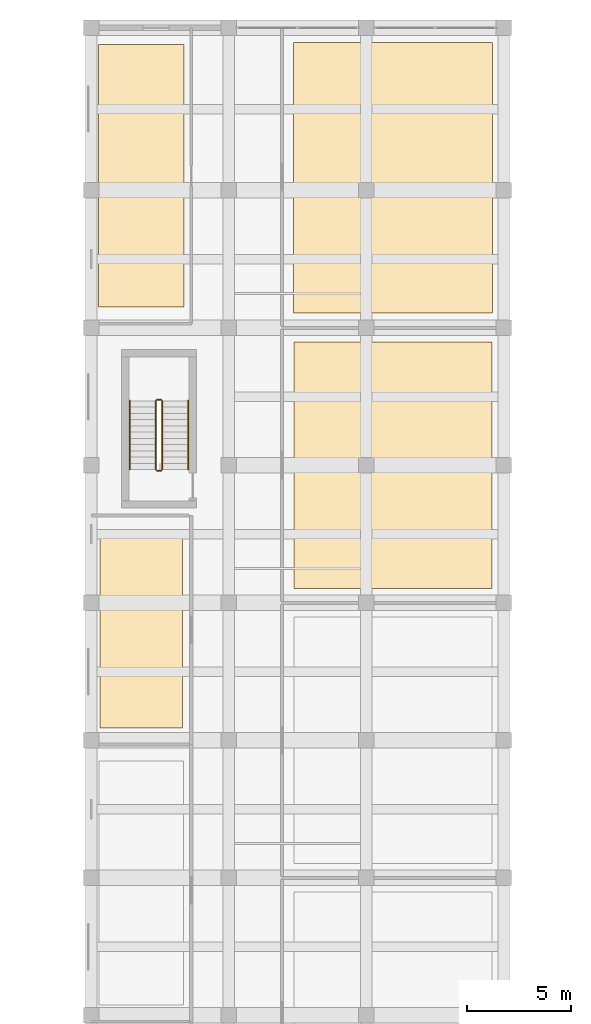
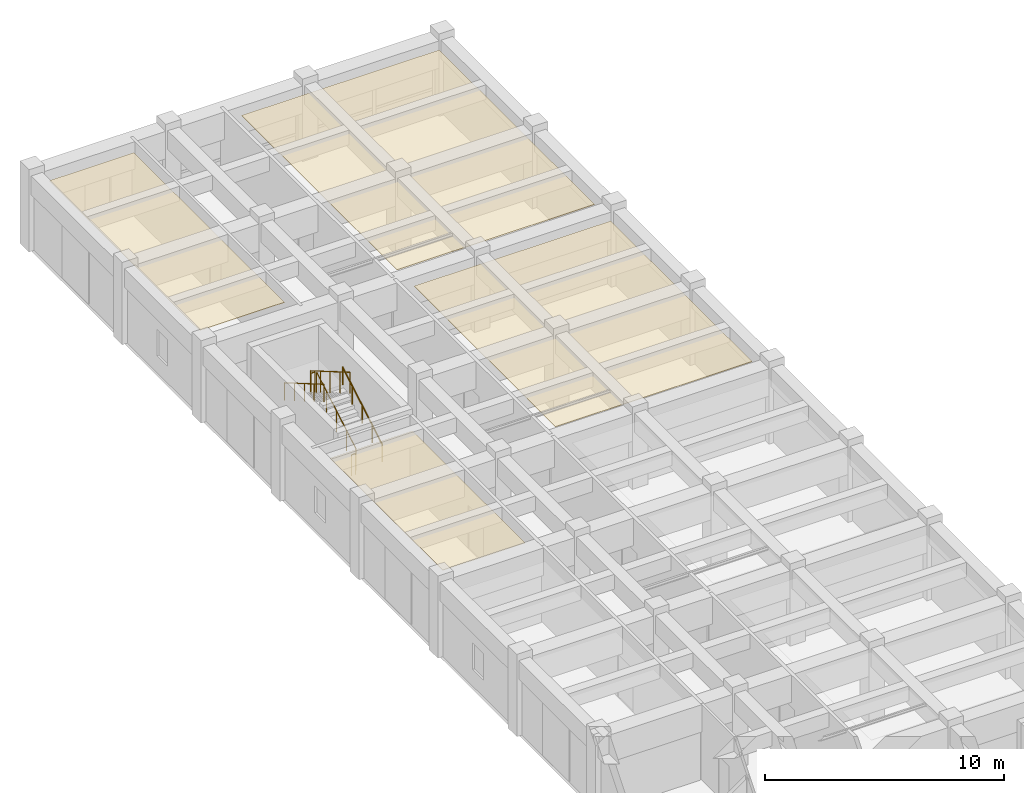
# One storey, part 148 of 148: 6 railings, 4 coverings.
"""IFC4 building model written with IfcOpenShell, lengths in metres."""

from ifc_helpers import new_model, si_unit, direction, frame, origin, origin_2d, place, context, subcontext, project, spatial, polyline, circle, outline, extrude, material, layer, layer_set, type_object, element, save


model = new_model("IFC4")

# Units and contexts
model_context = context("Model", 3, precision=1e-05, world=origin(), true_north=direction((0.0, 1.0)))
body_context = subcontext(model_context, "Body", "Model", "MODEL_VIEW")
ifc_project = project(units=[si_unit("LENGTHUNIT", "METRE"), si_unit("AREAUNIT", "SQUARE_METRE"), si_unit("VOLUMEUNIT", "CUBIC_METRE"), si_unit("PLANEANGLEUNIT", "RADIAN"), si_unit("MASSUNIT", "GRAM", prefix="KILO")], contexts=[model_context])

# Site, building, storey
site_placement = place(None, origin())
site = spatial("IfcSite", under=ifc_project, at=site_placement, CompositionType="ELEMENT")
building_placement = place(site_placement, origin())
building = spatial("IfcBuilding", under=site, at=building_placement, Name="Karori Crest Natural Sciences Institute", CompositionType="ELEMENT")
storey_placement = place(building_placement, frame((0.0, 0.0, 4.89990234375)))
storey = spatial("IfcBuildingStorey", under=building, at=storey_placement, Name="L01", CompositionType="ELEMENT", Elevation=4.89990234375)

# Coverings
ifc_material_1 = material(Name="Acoustic mineral fibre ceiling tile")
ifc_layer = layer(ifc_material_1, 0.02490234375, Name="Acoustic mineral fibre ceiling tile")
ifc_layer_set = layer_set([ifc_layer], Name="Acoustic mineral fibre ceiling tile")
covering_type = type_object("IfcCoveringType", Name="CVT-CEIL", PredefinedType="CEILING", material=ifc_layer_set)
covering_1_placement = place(storey_placement, frame((0.0, 0.0, 3.625)))
element("IfcCovering", 1, at=covering_1_placement, inside=storey, type_object=covering_type, Name="Acoustic ceiling CLG-0024", PredefinedType="CEILING", context=body_context, shape_type="SweptSolid", body=[
    extrude(outline(polyline([(7.81201171875, 138.014892578125), (7.81201171875, 128.5849609375), (11.7880859375, 128.5849609375), (11.7880859375, 138.014892578125), (7.81201171875, 138.014892578125)])), origin(), (0.0, 0.0, 1.0), 0.025146484375),
])
covering_2_placement = place(storey_placement, frame((0.0, 0.0, 3.625)))
element("IfcCovering", 2, at=covering_2_placement, inside=storey, type_object=covering_type, Name="Acoustic ceiling CLG-0025", PredefinedType="CEILING", context=body_context, shape_type="SweptSolid", body=[
    extrude(outline(polyline([(7.756103515625, 161.394287109375), (7.756103515625, 148.805908203125), (11.84375, 148.805908203125), (11.84375, 161.394287109375), (7.756103515625, 161.394287109375)])), origin(), (0.0, 0.0, 1.0), 0.025146484375),
])
covering_3_placement = place(storey_placement, frame((0.0, 0.0, 3.625)))
element("IfcCovering", 3, at=covering_3_placement, inside=storey, type_object=covering_type, Name="Acoustic ceiling CLG-0028", PredefinedType="CEILING", context=body_context, shape_type="SweptSolid", body=[
    extrude(outline(polyline([(17.128173828125, 147.114013671875), (17.128173828125, 135.285888671875), (26.621826171875, 135.285888671875), (26.621826171875, 147.114013671875), (17.128173828125, 147.114013671875)])), origin(), (0.0, 0.0, 1.0), 0.025146484375),
])
covering_4_placement = place(storey_placement, frame((0.0, 0.0, 3.625)))
element("IfcCovering", 4, at=covering_4_placement, inside=storey, type_object=covering_type, Name="Acoustic ceiling CLG-0029", PredefinedType="CEILING", context=body_context, shape_type="SweptSolid", body=[
    extrude(outline(polyline([(17.1044921875, 161.495849609375), (17.1044921875, 148.504150390625), (26.6455078125, 148.504150390625), (26.6455078125, 161.495849609375), (17.1044921875, 161.495849609375)])), origin(), (0.0, 0.0, 1.0), 0.025146484375),
])

# Railings
ifc_material_2 = material(Name="Stainless steel 316 tubular handrail", Category="steel")
railing_type_1 = type_object("IfcRailingType", Name="RLT-HND", PredefinedType="HANDRAIL", material=ifc_material_2)
railing_1_placement = place(storey_placement, frame((12.050048828125, 141.0, 0.175048828125)))
element("IfcRailing", 5, at=railing_1_placement, inside=storey, type_object=railing_type_1, Name="Stair handrail RL-0286", PredefinedType="HANDRAIL", context=body_context, shape_type="SweptSolid", body=[
    extrude(circle(Radius=0.02392578125, at=origin_2d()), frame((0.0, 0.0, 0.90087890625), z_axis=(0.0, 0.863776583165, 0.503874998761), x_axis=(-1.0, 0.0, 0.0)), (0.0, 0.0, 1.0), 3.820556640625),
    extrude(circle(Radius=0.02099609375, at=origin_2d()), origin(), (0.0, 0.0, 1.0), 0.876953125),
    extrude(circle(Radius=0.02099609375, at=origin_2d()), frame((0.0, 0.824951171875, 0.481201171875)), (0.0, 0.0, 1.0), 0.876953125),
    extrude(circle(Radius=0.02099609375, at=origin_2d()), frame((0.0, 1.64990234375, 0.96240234375)), (0.0, 0.0, 1.0), 0.876953125),
    extrude(circle(Radius=0.02099609375, at=origin_2d()), frame((0.0, 2.47509765625, 1.44384765625)), (0.0, 0.0, 1.0), 0.876953125),
    extrude(circle(Radius=0.02099609375, at=origin_2d()), frame((0.0, 3.300048828125, 1.925048828125)), (0.0, 0.0, 1.0), 0.876953125),
])
railing_2_placement = place(storey_placement, frame((9.25, 144.300048828125, 2.275146484375)))
element("IfcRailing", 6, at=railing_2_placement, inside=storey, type_object=railing_type_1, Name="Stair handrail RL-0287", PredefinedType="HANDRAIL", context=body_context, shape_type="SweptSolid", body=[
    extrude(circle(Radius=0.02392578125, at=origin_2d()), frame((0.0, 0.0, 0.90087890625), z_axis=(0.0, -0.863776583165, 0.503874998761), x_axis=(1.0, 0.0, 0.0)), (0.0, 0.0, 1.0), 3.820556640625),
    extrude(circle(Radius=0.02099609375, at=origin_2d()), origin(), (0.0, 0.0, 1.0), 0.876953125),
    extrude(circle(Radius=0.02099609375, at=origin_2d()), frame((0.0, -0.824951171875, 0.481201171875)), (0.0, 0.0, 1.0), 0.876953125),
    extrude(circle(Radius=0.02099609375, at=origin_2d()), frame((0.0, -1.64990234375, 0.96240234375)), (0.0, 0.0, 1.0), 0.876953125),
    extrude(circle(Radius=0.02099609375, at=origin_2d()), frame((0.0, -2.47509765625, 1.44384765625)), (0.0, 0.0, 1.0), 0.876953125),
    extrude(circle(Radius=0.02099609375, at=origin_2d()), frame((0.0, -3.300048828125, 1.925048828125)), (0.0, 0.0, 1.0), 0.876953125),
])
ifc_material_3 = material(Name="Stainless steel 316 stair guard", Category="steel")
railing_type_2 = type_object("IfcRailingType", Name="RLT-STG", PredefinedType="GUARDRAIL", material=ifc_material_3)
railing_3_placement = place(storey_placement, frame((10.800048828125, 141.0, 0.175048828125)))
element("IfcRailing", 7, at=railing_3_placement, inside=storey, type_object=railing_type_2, Name="Stair guard RL-0282", PredefinedType="GUARDRAIL", context=body_context, shape_type="SweptSolid", body=[
    extrude(circle(Radius=0.02392578125, at=origin_2d()), frame((0.0, 0.0, 1.076171875), z_axis=(0.0, 0.863776583165, 0.503874998761), x_axis=(-1.0, 0.0, 0.0)), (0.0, 0.0, 1.0), 3.820556640625),
    extrude(circle(Radius=0.02099609375, at=origin_2d()), origin(), (0.0, 0.0, 1.0), 1.052001953125),
    extrude(circle(Radius=0.02099609375, at=origin_2d()), frame((0.0, 0.824951171875, 0.481201171875)), (0.0, 0.0, 1.0), 1.052001953125),
    extrude(circle(Radius=0.02099609375, at=origin_2d()), frame((0.0, 1.64990234375, 0.96240234375)), (0.0, 0.0, 1.0), 1.052001953125),
    extrude(circle(Radius=0.02099609375, at=origin_2d()), frame((0.0, 2.47509765625, 1.44384765625)), (0.0, 0.0, 1.0), 1.052001953125),
    extrude(circle(Radius=0.02099609375, at=origin_2d()), frame((0.0, 3.300048828125, 1.925048828125)), (0.0, 0.0, 1.0), 1.052001953125),
])
railing_4_placement = place(storey_placement, frame((10.75, 144.35009765625, 2.10009765625)))
element("IfcRailing", 8, at=railing_4_placement, inside=storey, type_object=railing_type_2, Name="Stair guard RL-0283", PredefinedType="GUARDRAIL", context=body_context, shape_type="SweptSolid", body=[
    extrude(circle(Radius=0.02392578125, at=origin_2d()), frame((0.0, 0.0, 1.076171875), z_axis=(-1.0, 0.0, 0.0), x_axis=(0.0, -1.0, 0.0)), (0.0, 0.0, 1.0), 0.199951171875),
    extrude(circle(Radius=0.02099609375, at=origin_2d()), origin(), (0.0, 0.0, 1.0), 1.052001953125),
    extrude(circle(Radius=0.02099609375, at=origin_2d()), frame((-0.199951171875, 0.0, 0.0)), (0.0, 0.0, 1.0), 1.052001953125),
])
railing_5_placement = place(storey_placement, frame((10.5, 144.300048828125, 2.275146484375)))
element("IfcRailing", 9, at=railing_5_placement, inside=storey, type_object=railing_type_2, Name="Stair guard RL-0284", PredefinedType="GUARDRAIL", context=body_context, shape_type="SweptSolid", body=[
    extrude(circle(Radius=0.02392578125, at=origin_2d()), frame((0.0, 0.0, 1.076171875), z_axis=(0.0, -0.863776583165, 0.503874998761), x_axis=(1.0, 0.0, 0.0)), (0.0, 0.0, 1.0), 3.820556640625),
    extrude(circle(Radius=0.02099609375, at=origin_2d()), origin(), (0.0, 0.0, 1.0), 1.052001953125),
    extrude(circle(Radius=0.02099609375, at=origin_2d()), frame((0.0, -0.824951171875, 0.481201171875)), (0.0, 0.0, 1.0), 1.052001953125),
    extrude(circle(Radius=0.02099609375, at=origin_2d()), frame((0.0, -1.64990234375, 0.96240234375)), (0.0, 0.0, 1.0), 1.052001953125),
    extrude(circle(Radius=0.02099609375, at=origin_2d()), frame((0.0, -2.47509765625, 1.44384765625)), (0.0, 0.0, 1.0), 1.052001953125),
    extrude(circle(Radius=0.02099609375, at=origin_2d()), frame((0.0, -3.300048828125, 1.925048828125)), (0.0, 0.0, 1.0), 1.052001953125),
])
railing_6_placement = place(storey_placement, frame((10.75, 140.949951171875, 0.0)))
element("IfcRailing", 10, at=railing_6_placement, inside=storey, type_object=railing_type_2, Name="Stair guard RL-0285", PredefinedType="GUARDRAIL", context=body_context, shape_type="SweptSolid", body=[
    extrude(circle(Radius=0.02392578125, at=origin_2d()), frame((0.0, 0.0, 1.076171875), z_axis=(-1.0, 0.0, 0.0), x_axis=(0.0, -1.0, 0.0)), (0.0, 0.0, 1.0), 0.199951171875),
    extrude(circle(Radius=0.02099609375, at=origin_2d()), origin(), (0.0, 0.0, 1.0), 1.052001953125),
    extrude(circle(Radius=0.02099609375, at=origin_2d()), frame((-0.199951171875, 0.0, 0.0)), (0.0, 0.0, 1.0), 1.052001953125),
])

save(model, "model.ifc")
